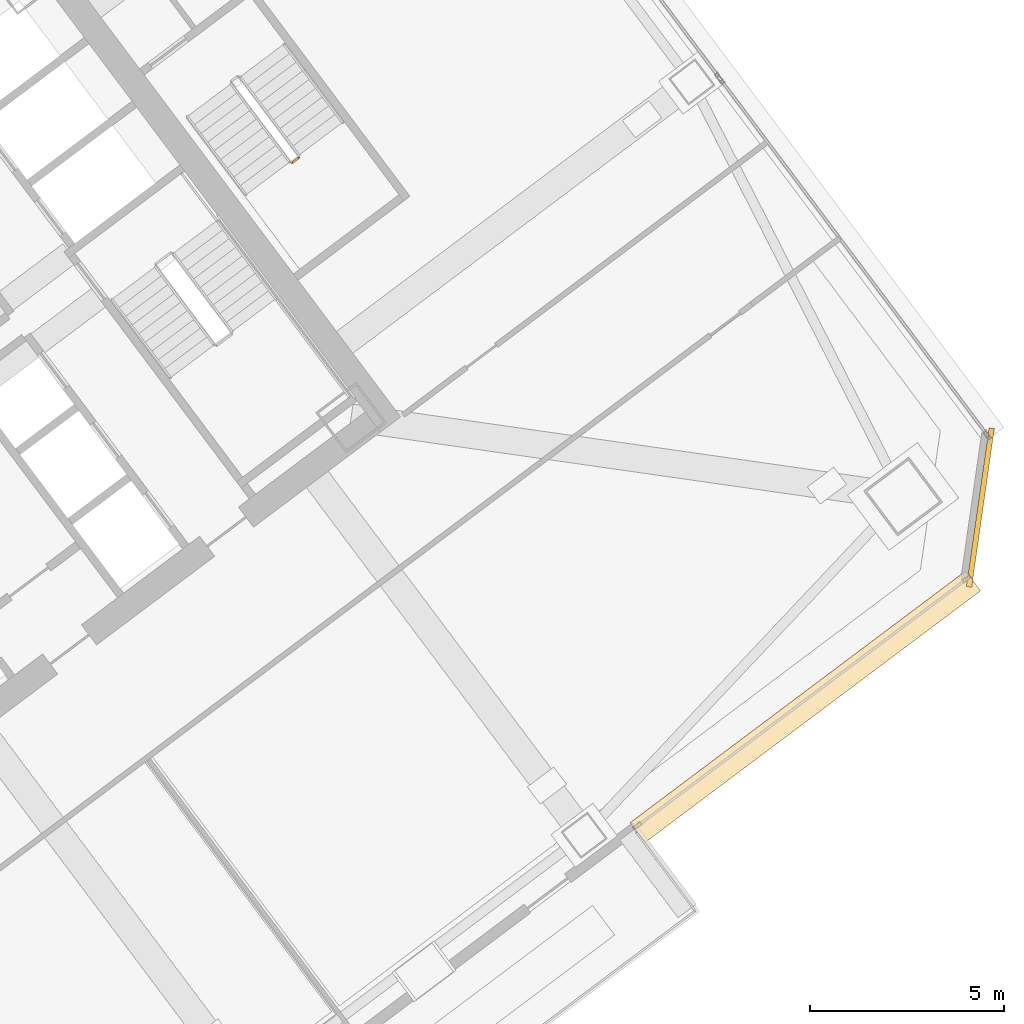
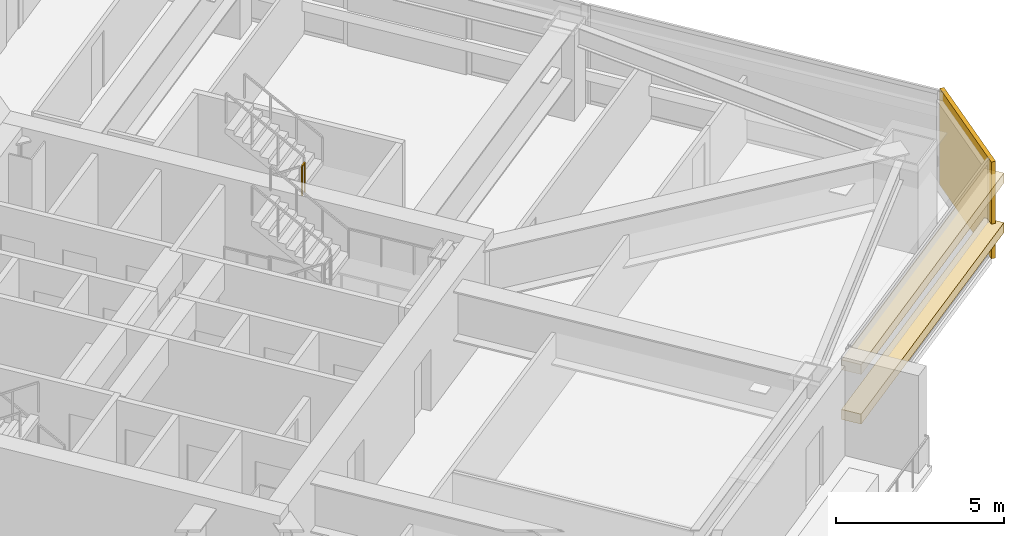
# One storey, part 47 of 49: 3 coverings, 1 railing.
"""IFC4 building model written with IfcOpenShell, lengths in metres."""

from ifc_helpers import new_model, si_unit, direction, frame, origin, origin_2d, place, context, subcontext, project, spatial, rectangle, extrude, material, layer, layer_set, type_object, element, save


model = new_model("IFC4")

# Units and contexts
model_context = context("Model", 3, precision=1e-05, world=origin(), true_north=direction((0.0, 1.0)))
body_context = subcontext(model_context, "Body", "Model", "MODEL_VIEW")
ifc_project = project(units=[si_unit("LENGTHUNIT", "METRE"), si_unit("AREAUNIT", "SQUARE_METRE"), si_unit("VOLUMEUNIT", "CUBIC_METRE"), si_unit("PLANEANGLEUNIT", "RADIAN"), si_unit("MASSUNIT", "GRAM", prefix="KILO")], contexts=[model_context])

# Site, building, storey
site_placement = place(None, origin())
site = spatial("IfcSite", under=ifc_project, at=site_placement, CompositionType="ELEMENT")
building_placement = place(site_placement, origin())
building = spatial("IfcBuilding", under=site, at=building_placement, Name="Tashvorn Skyway Center", CompositionType="ELEMENT")
storey_placement = place(building_placement, frame((0.0, 0.0, 106.25)))
storey = spatial("IfcBuildingStorey", under=building, at=storey_placement, Name="L28", CompositionType="ELEMENT", Elevation=106.25)

# Coverings
ifc_material_1 = material(Name="Perforated ceramic-coated bronze aluminium solar screen", Category="aluminium")
ifc_layer_1 = layer(ifc_material_1, 0.85009765625)
ifc_layer_set_1 = layer_set([ifc_layer_1], Name="Perforated ceramic-coated bronze aluminium solar screen")
covering_type_1 = type_object("IfcCoveringType", Name="COV-SOLAR-BAND", PredefinedType="CLADDING", material=ifc_layer_set_1)
for number, where, z_axis, x_axis, name in (
    (1, (135.56396484375, 23.14794921875, 0.919921875), (0.0, 0.0, 1.0), (-0.799999996291, -0.600000004945, 0.0), "L28 Perforated Ceramic-Metal Solar Screen Louvre Band South 1"),
    (2, (135.56396484375, 23.14794921875, 2.7197265625), (0.0, 0.0, 1.0), (-0.799999996291, -0.600000004945, 0.0), "L28 Perforated Ceramic-Metal Solar Screen Louvre Band South 2"),
):
    element("IfcCovering", number, at=place(storey_placement, frame(where, z_axis=z_axis, x_axis=x_axis)), inside=storey, type_object=covering_type_1, Name=name, PredefinedType="CLADDING", context=body_context, shape_type="SweptSolid", body=[
        extrude(rectangle(XDim=10.800048828125, YDim=0.639892578125, at=origin_2d()), origin(), (0.0, 0.0, 1.0), 0.360107421875),
    ])
ifc_material_2 = material(Name="Precast concrete C40/50", Category="concrete")
ifc_layer_2 = layer(ifc_material_2, 0.35009765625)
ifc_layer_set_2 = layer_set([ifc_layer_2], Name="Precast concrete C40/50")
covering_type_2 = type_object("IfcCoveringType", Name="COV-STONE-TRIM", PredefinedType="CLADDING", material=ifc_layer_set_2)
covering_placement = place(storey_placement, frame((140.068115234375, 28.27587890625, 0.02001953125), z_axis=(0.0, 0.0, 1.0), x_axis=(0.141421350118, 0.989949494535, 0.0)))
element("IfcCovering", 3, at=covering_placement, inside=storey, type_object=covering_type_2, Name="Tower 2 L28 SE Mojave Limestone Corner Quoin", PredefinedType="CLADDING", context=body_context, shape_type="SweptSolid", body=[
    extrude(rectangle(XDim=4.119873046875, YDim=0.139892578125, at=origin_2d()), origin(), (0.0, 0.0, 1.0), 3.510009765625),
])

# Railing
ifc_material_3 = material(Name="Painted galvanized steel S355", Category="steel")
railing_type = type_object("IfcRailingType", Name="RAIL-STGUARD-1100", PredefinedType="GUARDRAIL", material=ifc_material_3)
railing_placement = place(storey_placement, frame((122.35791015625, 37.156005859375, 1.77490234375)))
element("IfcRailing", 4, at=railing_placement, inside=storey, type_object=railing_type, Name="L28 ST-T2-3 stair guard 2", PredefinedType="GUARDRAIL", context=body_context, shape_type="SweptSolid", body=[
    extrude(rectangle(XDim=0.048095703125, YDim=0.048095703125, at=origin_2d()), frame((0.0, 0.0, 1.076171875), z_axis=(0.800585412921, 0.599218655098, 0.0), x_axis=(-0.599218655098, 0.800585412921, 0.0)), (0.0, 0.0, 1.0), 0.199951171875),
    extrude(rectangle(XDim=0.0419921875, YDim=0.0419921875, at=origin_2d()), origin(), (0.0, 0.0, 1.0), 1.052001953125),
    extrude(rectangle(XDim=0.0419921875, YDim=0.0419921875, at=origin_2d()), frame((0.16015625, 0.119873046875, 0.0)), (0.0, 0.0, 1.0), 1.052001953125),
])

save(model, "model.ifc")
